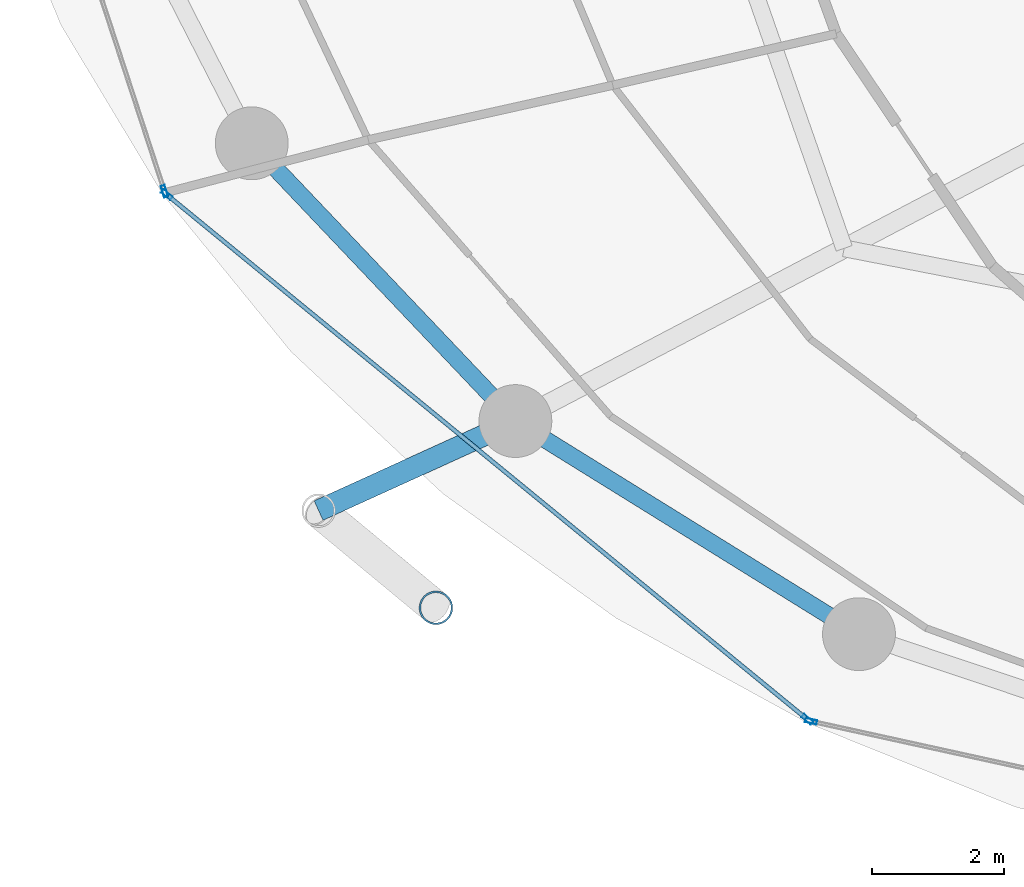
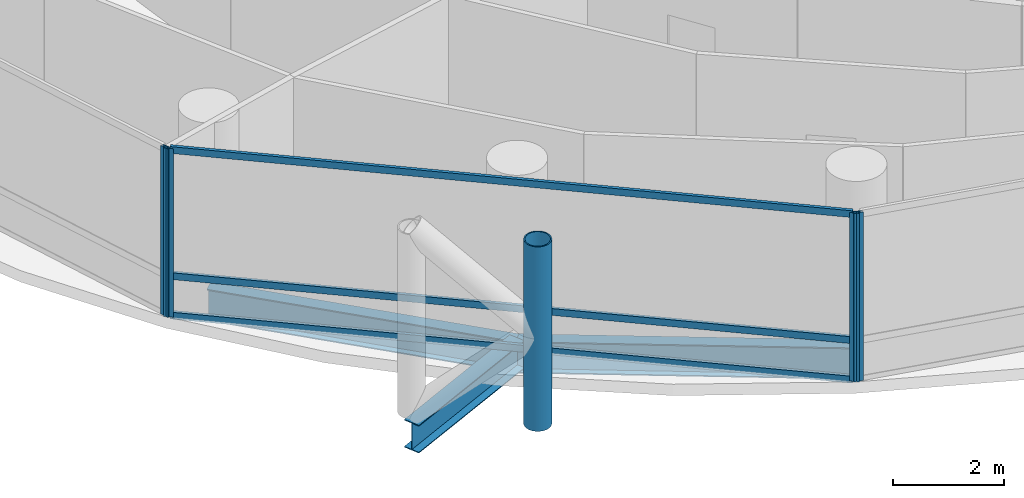
# One storey, part 2 of 27: 8 members, 3 beams, 3 elements without a shape of their own.
"""IFC4 building model written with IfcOpenShell, lengths in metres."""

from ifc_helpers import new_model, si_unit, direction, frame, origin, origin_2d, place, context, subcontext, project, spatial, hollow_rectangle, hollow_circle, i_section, extrude, material, layer, layer_set, material_profile, profile_set, type_object, element, aggregate, save


model = new_model("IFC4")

# Units and contexts
model_context = context("Model", 3, precision=1e-05, world=origin(), true_north=direction((0.0, 1.0)))
body_context = subcontext(model_context, "Body", "Model", "MODEL_VIEW")
ifc_project = project(units=[si_unit("LENGTHUNIT", "METRE"), si_unit("AREAUNIT", "SQUARE_METRE"), si_unit("VOLUMEUNIT", "CUBIC_METRE"), si_unit("PLANEANGLEUNIT", "RADIAN"), si_unit("MASSUNIT", "GRAM", prefix="KILO")], contexts=[model_context])

# Site, building, storey
site_placement = place(None, origin())
site = spatial("IfcSite", under=ifc_project, at=site_placement, CompositionType="ELEMENT")
building_placement = place(site_placement, origin())
building = spatial("IfcBuilding", under=site, at=building_placement, Name="Nuhasar Tower", CompositionType="ELEMENT")
storey_placement = place(building_placement, frame((0.0, 0.0, 102.0)))
storey = spatial("IfcBuildingStorey", under=building, at=storey_placement, Name="L24", CompositionType="ELEMENT", Elevation=102.0)

# Beams
ifc_material_1 = material(Name="Steel S355", Category="steel")
ifc_material_profile_1 = material_profile(ifc_material_1, i_section(OverallWidth=0.256103515625, OverallDepth=0.693115234375, WebThickness=0.014404296875, FlangeThickness=0.023681640625, at=origin_2d()), Name="W27X114")
ifc_profile_set_1 = profile_set([ifc_material_profile_1], Name="Steel S355")
beam_type_1 = type_object("IfcBeamType", Name="BM-RING-W27X114", PredefinedType="SPANDREL", material=ifc_profile_set_1)
beam_1_placement = place(storey_placement, frame((17.305908203125, 16.675048828125, -0.596923828125), z_axis=(0.688459812429, -0.725274490569, 0.0), x_axis=(0.725274490569, 0.688459812429, 0.0)))
element("IfcBeam", 1, at=beam_1_placement, inside=storey, type_object=beam_type_1, Name="L24 Perimeter Ring Spandrel 15", PredefinedType="SPANDREL", context=body_context, shape_type="SweptSolid", body=[
    extrude(i_section(OverallWidth=0.256103515625, OverallDepth=0.693115234375, WebThickness=0.014404296875, FlangeThickness=0.023681640625, at=origin_2d()), origin(), (0.0, 0.0, 1.0), 5.78271484375),
])
beam_2_placement = place(storey_placement, frame((21.287109375, 12.48095703125, -0.596923828125), z_axis=(0.849795216549, -0.527112976439, 0.0), x_axis=(0.527112976439, 0.849795216549, 0.0)))
element("IfcBeam", 2, at=beam_2_placement, inside=storey, type_object=beam_type_1, Name="L24 Perimeter Ring Spandrel 16", PredefinedType="SPANDREL", context=body_context, shape_type="SweptSolid", body=[
    extrude(i_section(OverallWidth=0.256103515625, OverallDepth=0.693115234375, WebThickness=0.014404296875, FlangeThickness=0.023681640625, at=origin_2d()), origin(), (0.0, 0.0, 1.0), 6.10498046875),
])
ifc_material_profile_2 = material_profile(ifc_material_1, i_section(OverallWidth=0.323974609375, OverallDepth=0.611083984375, WebThickness=0.0126953125, FlangeThickness=0.01904296875, at=origin_2d()), Name="W24X104")
ifc_profile_set_2 = profile_set([ifc_material_profile_2], Name="Steel S355")
beam_type_2 = type_object("IfcBeamType", Name="BM-TIE-W24X104", PredefinedType="BEAM", material=ifc_profile_set_2)
beam_3_placement = place(storey_placement, frame((21.287109375, 12.48095703125, -0.554931640625), z_axis=(-0.910243528587, -0.414073325227, 0.0), x_axis=(0.414073325227, -0.910243528587, 0.0)))
element("IfcBeam", 3, at=beam_3_placement, inside=storey, type_object=beam_type_2, Name="L24 Exoskeleton Node Tie Beam 08", PredefinedType="BEAM", context=body_context, shape_type="SweptSolid", body=[
    extrude(i_section(OverallWidth=0.323974609375, OverallDepth=0.611083984375, WebThickness=0.0126953125, FlangeThickness=0.01904296875, at=origin_2d()), origin(), (0.0, 0.0, 1.0), 3.26513671875),
])

# Curtain wall, member
ifc_material_2 = material(Name="Aluminium 6063-T6", Category="aluminium")
ifc_layer = layer(ifc_material_2, 0.199951171875)
ifc_layer_set = layer_set([ifc_layer], Name="Aluminium 6063-T6")
curtain_wall_type = type_object("IfcCurtainWallType", Name="CW-Z1-OFF", PredefinedType="NOTDEFINED", material=ifc_layer_set)
curtain_wall_1_placement = place(storey_placement, origin())
curtain_wall_1 = element("IfcCurtainWall", 4, at=curtain_wall_1_placement, inside=storey, type_object=curtain_wall_type, Name="L24 Unitised Curtain Wall 07", PredefinedType="NOTDEFINED")
ifc_material_profile_3 = material_profile(ifc_material_2, hollow_rectangle(XDim=0.06494140625, YDim=0.179931640625, WallThickness=0.0048828125, at=origin_2d()), Name="CWM-2")
ifc_profile_set_3 = profile_set([ifc_material_profile_3], Name="Aluminium 6063-T6")
member_type_1 = type_object("IfcMemberType", Name="CW-MUL-S2", PredefinedType="MULLION", material=ifc_profile_set_3)
member_1_placement = place(storey_placement, frame((15.98779296875, 15.950927734375, 0.0), z_axis=(0.0, 0.0, 1.0), x_axis=(0.950467534571, 0.310823849997, 0.0)))
member_1 = element("IfcMember", 5, at=member_1_placement, type_object=member_type_1, Name="CW-Z1 mullion 2", PredefinedType="MULLION", context=body_context, shape_type="SweptSolid", body=[
    extrude(hollow_rectangle(XDim=0.06494140625, YDim=0.179931640625, WallThickness=0.0048828125, at=origin_2d()), origin(), (0.0, 0.0, 1.0), 3.699951171875),
])
aggregate(curtain_wall_1, [member_1])

# Curtain wall, members
curtain_wall_2_placement = place(storey_placement, origin())
curtain_wall_2 = element("IfcCurtainWall", 6, at=curtain_wall_2_placement, inside=storey, type_object=curtain_wall_type, Name="L24 Unitised Curtain Wall 08", PredefinedType="NOTDEFINED")
member_2_placement = place(storey_placement, frame((16.023193359375, 15.8994140625, 0.0), z_axis=(0.0, 0.0, 1.0), x_axis=(0.633744593376, 0.773542364946, 0.0)))
member_2 = element("IfcMember", 7, at=member_2_placement, type_object=member_type_1, Name="CW-Z1 mullion 1", PredefinedType="MULLION", context=body_context, shape_type="SweptSolid", body=[
    extrude(hollow_rectangle(XDim=0.06494140625, YDim=0.179931640625, WallThickness=0.0048828125, at=origin_2d()), origin(), (0.0, 0.0, 1.0), 3.699951171875),
])
member_3_placement = place(storey_placement, frame((25.69482421875, 7.9755859375, 0.0), z_axis=(0.0, 0.0, 1.0), x_axis=(0.633744593376, 0.773542364946, 0.0)))
member_3 = element("IfcMember", 8, at=member_3_placement, type_object=member_type_1, Name="CW-Z1 mullion 2", PredefinedType="MULLION", context=body_context, shape_type="SweptSolid", body=[
    extrude(hollow_rectangle(XDim=0.06494140625, YDim=0.179931640625, WallThickness=0.0048828125, at=origin_2d()), origin(), (0.0, 0.0, 1.0), 3.699951171875),
])

# Curtain wall, member
curtain_wall_3_placement = place(storey_placement, origin())
curtain_wall_3 = element("IfcCurtainWall", 9, at=curtain_wall_3_placement, inside=storey, type_object=curtain_wall_type, Name="L24 Unitised Curtain Wall 09", PredefinedType="NOTDEFINED")
member_4_placement = place(storey_placement, frame((25.751708984375, 7.947998046875, 0.0), z_axis=(0.0, 0.0, 1.0), x_axis=(0.214398737637, 0.976746221544, 0.0)))
member_4 = element("IfcMember", 10, at=member_4_placement, type_object=member_type_1, Name="CW-Z1 mullion 1", PredefinedType="MULLION", context=body_context, shape_type="SweptSolid", body=[
    extrude(hollow_rectangle(XDim=0.06494140625, YDim=0.179931640625, WallThickness=0.0048828125, at=origin_2d()), origin(), (0.0, 0.0, 1.0), 3.699951171875),
])
aggregate(curtain_wall_3, [member_4])

# Member
ifc_material_profile_4 = material_profile(ifc_material_2, hollow_rectangle(XDim=0.06494140625, YDim=0.14990234375, WallThickness=0.00439453125, at=origin_2d()), Name="CWT-2")
ifc_profile_set_4 = profile_set([ifc_material_profile_4], Name="Aluminium 6063-T6")
member_type_2 = type_object("IfcMemberType", Name="CW-TRN-S2", PredefinedType="USERDEFINED", material=ifc_profile_set_4)
member_5_placement = place(storey_placement, frame((16.04833984375, 15.87890625, 0.032470703125), z_axis=(0.773531229158, -0.633758185365, 0.0), x_axis=(0.633758185365, 0.773531229158, 0.0)))
member_5 = element("IfcMember", 11, at=member_5_placement, type_object=member_type_2, Name="CW-Z1 transom 1.1", ObjectType="TRANSOM", PredefinedType="USERDEFINED", context=body_context, shape_type="SweptSolid", body=[
    extrude(hollow_rectangle(XDim=0.06494140625, YDim=0.14990234375, WallThickness=0.00439453125, at=origin_2d()), origin(), (0.0, 0.0, 1.0), 12.438232421875),
])

member_6_placement = place(storey_placement, frame((16.04833984375, 15.87890625, 0.89990234375), z_axis=(0.773531229158, -0.633758185365, 0.0), x_axis=(0.633758185365, 0.773531229158, 0.0)))
member_6 = element("IfcMember", 12, at=member_6_placement, type_object=member_type_2, Name="CW-Z1 transom 1.2", ObjectType="TRANSOM", PredefinedType="USERDEFINED", context=body_context, shape_type="SweptSolid", body=[
    extrude(hollow_rectangle(XDim=0.06494140625, YDim=0.14990234375, WallThickness=0.00439453125, at=origin_2d()), origin(), (0.0, 0.0, 1.0), 12.438232421875),
])

member_7_placement = place(storey_placement, frame((16.04833984375, 15.87890625, 3.66748046875), z_axis=(0.773531229158, -0.633758185365, 0.0), x_axis=(0.633758185365, 0.773531229158, 0.0)))
member_7 = element("IfcMember", 13, at=member_7_placement, type_object=member_type_2, Name="CW-Z1 transom 1.3", ObjectType="TRANSOM", PredefinedType="USERDEFINED", context=body_context, shape_type="SweptSolid", body=[
    extrude(hollow_rectangle(XDim=0.06494140625, YDim=0.14990234375, WallThickness=0.00439453125, at=origin_2d()), origin(), (0.0, 0.0, 1.0), 12.438232421875),
])

aggregate(curtain_wall_2, [member_2, member_3, member_5, member_6, member_7])

ifc_material_3 = material(Name="Steel S460", Category="steel")
ifc_material_profile_5 = material_profile(ifc_material_3, hollow_circle(Radius=0.25390625, WallThickness=0.025390625, at=origin_2d()), Name="HSS508X25.4")
ifc_profile_set_5 = profile_set([ifc_material_profile_5], Name="Steel S460")
member_type_3 = type_object("IfcMemberType", Name="EXO-BRONZE-508", PredefinedType="BRACE", material=ifc_profile_set_5)
member_8_placement = place(storey_placement, frame((20.0869140625, 9.660888671875, 0.0), z_axis=(0.0, 0.0, 1.0), x_axis=(1.0, 0.0, 0.0)))
element("IfcMember", 14, at=member_8_placement, inside=storey, type_object=member_type_3, Name="L24 Exoskeleton Chord Column EC-08B", PredefinedType="BRACE", context=body_context, shape_type="SweptSolid", body=[
    extrude(hollow_circle(Radius=0.25390625, WallThickness=0.025390625, at=origin_2d()), origin(), (0.0, 0.0, 1.0), 4.050048828125),
])

save(model, "model.ifc")
